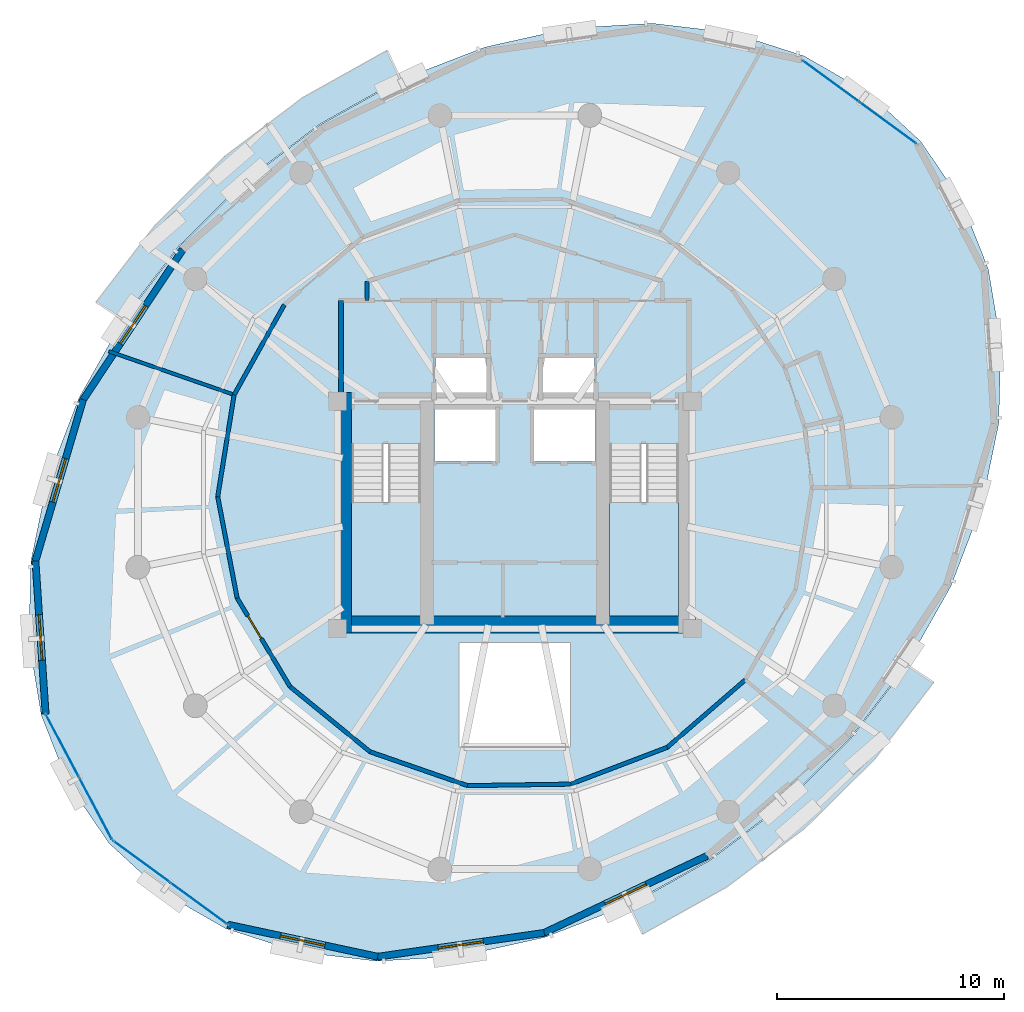
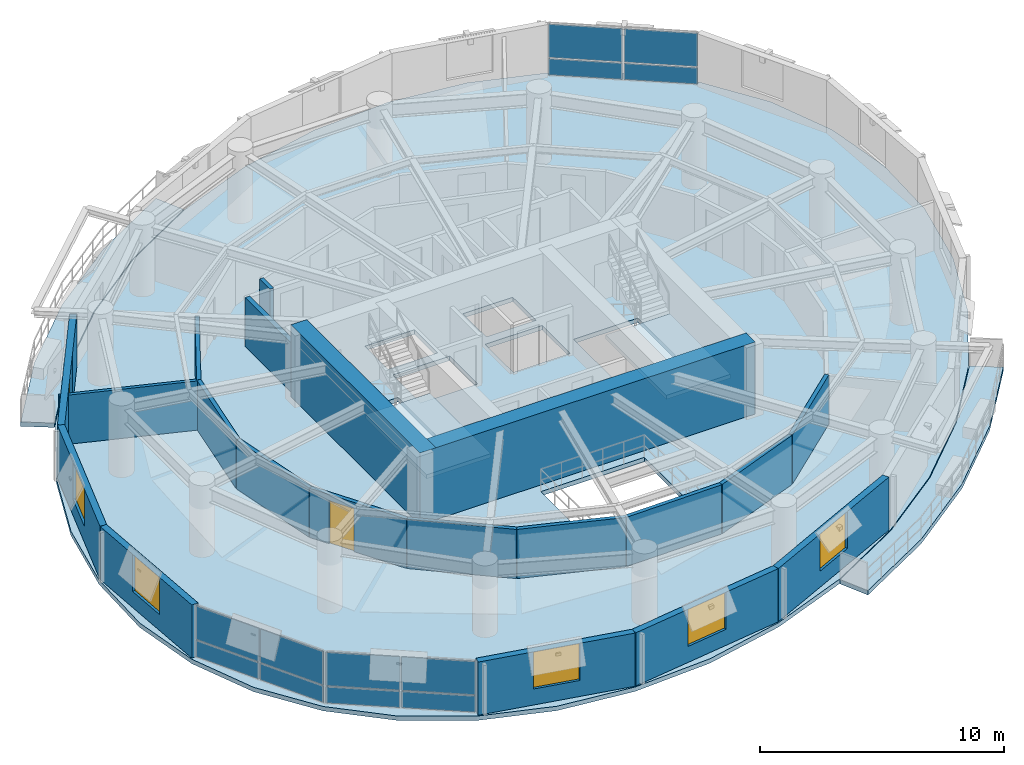
# One storey, part 7 of 12: 20 walls, 12 plates, 6 windows, 5 slabs, 1 door, 7 openings, 5 elements without a shape of their own.
"""IFC4 building model written with IfcOpenShell, lengths in metres."""

import ifcopenshell
import ifcopenshell.guid

model = None  # the IFC model being written
_history = None  # IfcOwnerHistory: only IFC2X3 demands one
_inside = {}  # id of a spatial element -> (the spatial element, [elements in it])
_under = {}  # id of a project, library or spatial element -> (it, [spatial elements below it])
_declared = {}  # id of a project -> (the project, [libraries it declares])
_typed = {}  # id of a type object -> (the type object, [elements of that type])
_made_of = {}  # id of a material, layer set ... -> (it, [elements and type objects made of it])


def new_model(schema):
    """Start an empty IFC model of exactly this schema.

    Asked for "IFC4X3", IfcOpenShell would pick the latest addendum, in which some entities
    have other attributes; the version numbers below select the first issue.
    IFC2X3 requires an IfcOwnerHistory on every rooted entity: one is made here for all.
    """
    global model, _history
    if schema == "IFC4X3":
        model = ifcopenshell.file(schema_version=(4, 3, 0, 0))
    else:
        model = ifcopenshell.file(schema=schema)
    _inside.clear()
    _under.clear()
    _declared.clear()
    _typed.clear()
    _made_of.clear()
    _history = None
    if model.schema == "IFC2X3":
        org = make("IfcOrganization", Name="unknown")
        user = make(
            "IfcPersonAndOrganization",
            ThePerson=make("IfcPerson", FamilyName="unknown"),
            TheOrganization=org,
        )
        app = make(
            "IfcApplication",
            ApplicationDeveloper=org,
            Version="unknown",
            ApplicationFullName="unknown",
            ApplicationIdentifier="unknown",
        )
        _history = make(
            "IfcOwnerHistory",
            OwningUser=user,
            OwningApplication=app,
            ChangeAction="ADDED",
            CreationDate=0,
        )
    return model


def make(cls, **values):
    """One entity of the class cls with the attributes given. An attribute that is None is left unset."""
    return model.create_entity(
        cls, **{name: value for name, value in values.items() if value is not None}
    )


def rooted(cls, **values):
    """An entity with a GlobalId (a new one), such as an element, a storey or a relation."""
    return make(cls, GlobalId=ifcopenshell.guid.new(), OwnerHistory=_history, **values)


def si_unit(unit_type, name, prefix=None):
    """IfcSIUnit, for example si_unit("LENGTHUNIT", "METRE", prefix="MILLI")."""
    return make("IfcSIUnit", UnitType=unit_type, Prefix=prefix, Name=name)


def assignment(units):
    """IfcUnitAssignment: the units of a project."""
    return None if units is None else make("IfcUnitAssignment", Units=units)


def point(xyz):
    """IfcCartesianPoint."""
    return None if xyz is None else make("IfcCartesianPoint", Coordinates=xyz)


def direction(xyz):
    """IfcDirection."""
    return None if xyz is None else make("IfcDirection", DirectionRatios=xyz)


def frame(location, z_axis=None, x_axis=None):
    """IfcAxis2Placement3D, a coordinate frame: its origin and axes. An axis left out is left unset."""
    return make(
        "IfcAxis2Placement3D",
        Location=point(location),
        Axis=direction(z_axis),
        RefDirection=direction(x_axis),
    )


def frame_2d(location, x_axis=None):
    """IfcAxis2Placement2D, a coordinate frame in the plane: its origin and x axis."""
    return make(
        "IfcAxis2Placement2D", Location=point(location), RefDirection=direction(x_axis)
    )


def origin():
    """The frame at (0, 0, 0) with its axes left unset."""
    return frame((0.0, 0.0, 0.0))


def origin_2d():
    """The frame at (0, 0) in the plane with its x axis left unset."""
    return frame_2d((0.0, 0.0))


def place(relative_to, where):
    """IfcLocalPlacement: puts the frame where relative to a parent placement (None: the world)."""
    return make(
        "IfcLocalPlacement", PlacementRelTo=relative_to, RelativePlacement=where
    )


def context(
    kind, dimensions, precision=None, world=None, true_north=None, identifier=None
):
    """IfcGeometricRepresentationContext, for example the 3D "Model" context."""
    return make(
        "IfcGeometricRepresentationContext",
        ContextIdentifier=identifier,
        ContextType=kind,
        CoordinateSpaceDimension=dimensions,
        Precision=precision,
        WorldCoordinateSystem=world,
        TrueNorth=true_north,
    )


def subcontext(parent, identifier, kind, view, scale=None):
    """IfcGeometricRepresentationSubContext, for example "Body" below "Model"."""
    return make(
        "IfcGeometricRepresentationSubContext",
        ContextIdentifier=identifier,
        ContextType=kind,
        ParentContext=parent,
        TargetScale=scale,
        TargetView=view,
    )


def project(units=None, contexts=None):
    """IfcProject with its units and contexts."""
    return rooted(
        "IfcProject",
        Name="project",
        RepresentationContexts=contexts,
        UnitsInContext=assignment(units),
    )


def spatial(cls, under=None, at=None, **own):
    """A site, building, storey or space (cls), placed at a placement, below another one or the project."""
    s = rooted(cls, ObjectPlacement=at, **own)
    if under is not None:
        _under.setdefault(under.id(), (under, []))[1].append(s)
    return s


def polyline(points):
    """IfcPolyline through the points."""
    return make("IfcPolyline", Points=[point(p) for p in points])


def profile(cls, at=None, kind="AREA", **sizes):
    """A parametric profile (cls). Its sizes go by their IFC names, for example OverallWidth=200.0."""
    return make(cls, ProfileType=kind, Position=at, **sizes)


def rectangle(**sizes):
    """IfcRectangleProfileDef."""
    return profile("IfcRectangleProfileDef", **sizes)


def outline(outer, holes=None, kind="AREA"):
    """IfcArbitraryClosedProfileDef: a profile drawn as a closed curve; with holes, ...WithVoids."""
    if holes is None:
        return make("IfcArbitraryClosedProfileDef", ProfileType=kind, OuterCurve=outer)
    return make(
        "IfcArbitraryProfileDefWithVoids",
        ProfileType=kind,
        OuterCurve=outer,
        InnerCurves=holes,
    )


def extrude(swept, where, along, depth):
    """IfcExtrudedAreaSolid: the profile swept, set in the frame where, extruded along a direction by depth."""
    return make(
        "IfcExtrudedAreaSolid",
        SweptArea=swept,
        Position=where,
        ExtrudedDirection=direction(along),
        Depth=depth,
    )


def shape(context_of_items, identifier, shape_type, items):
    """IfcShapeRepresentation: the items that make up one representation, for example the "Body"."""
    return make(
        "IfcShapeRepresentation",
        ContextOfItems=context_of_items,
        RepresentationIdentifier=identifier,
        RepresentationType=shape_type,
        Items=items,
    )


def material(Name=None, Category=None):
    """IfcMaterial."""
    return make("IfcMaterial", Name=Name, Category=Category)


def layer(
    of_material, thickness, ventilated=None, Name=None, Category=None, Priority=None
):
    """IfcMaterialLayer: one layer of a wall or slab, of a material (None: an air gap)."""
    return make(
        "IfcMaterialLayer",
        Material=of_material,
        LayerThickness=thickness,
        IsVentilated=ventilated,
        Name=Name,
        Category=Category,
        Priority=Priority,
    )


def layer_set(layers, Name=None):
    """IfcMaterialLayerSet."""
    return make("IfcMaterialLayerSet", MaterialLayers=layers, LayerSetName=Name)


def made_of(thing, what):
    """Note that an element or type object is made of a material, layer set ...; save() writes the relation."""
    if what is not None:
        _made_of.setdefault(what.id(), (what, []))[1].append(thing)
    return thing


def type_object(cls, material=None, **own):
    """A type object (cls), such as IfcWallType, which elements share."""
    return made_of(rooted(cls, **own), material)


def element(
    cls,
    number,
    at=None,
    inside=None,
    cuts=None,
    type_object=None,
    material=None,
    context=None,
    identifier="Body",
    shape_type=None,
    held_by="IfcProductDefinitionShape",
    body=None,
    shapes=None,
    **own,
):
    """One element of the class cls, such as IfcWall. Its Tag is "e" and its number.

    at: its placement. inside: the storey or other place that contains it. cuts: it is an
    opening in that element (IfcRelVoidsElement). A single representation is given by context,
    identifier, shape_type and body (its items); several are given by shapes. held_by: the class
    of the entity that holds the representations. save() writes the other relations.
    """
    e = rooted(cls, Tag="e%d" % number, ObjectPlacement=at, **own)
    if body is not None:
        shapes = [shape(context, identifier, shape_type, body)]
    if shapes is not None:
        e.Representation = make(held_by, Representations=shapes)
    if inside is not None:
        _inside.setdefault(inside.id(), (inside, []))[1].append(e)
    if cuts is not None:
        rooted(
            "IfcRelVoidsElement", RelatingBuildingElement=cuts, RelatedOpeningElement=e
        )
    if type_object is not None:
        _typed.setdefault(type_object.id(), (type_object, []))[1].append(e)
    return made_of(e, material)


def fill(opening, filler):
    """IfcRelFillsElement: the door or window that sits in an opening."""
    return rooted(
        "IfcRelFillsElement",
        RelatingOpeningElement=opening,
        RelatedBuildingElement=filler,
    )


def aggregate(whole, parts):
    """IfcRelAggregates: a whole, such as a stair, and the parts it consists of."""
    return rooted("IfcRelAggregates", RelatingObject=whole, RelatedObjects=parts)


def save(model, path):
    """Write the relations noted so far, then the file.

    IfcRelAggregates (storeys below a building ...), IfcRelContainedInSpatialStructure (elements
    in a storey), IfcRelDefinesByType, IfcRelAssociatesMaterial and IfcRelDeclares: one each for
    every whole, place, type object, material and project.
    """
    for whole, parts in _under.values():
        aggregate(whole, parts)
    for where, things in _inside.values():
        rooted(
            "IfcRelContainedInSpatialStructure",
            RelatedElements=things,
            RelatingStructure=where,
        )
    for kind, things in _typed.values():
        rooted("IfcRelDefinesByType", RelatedObjects=things, RelatingType=kind)
    for what, things in _made_of.values():
        rooted("IfcRelAssociatesMaterial", RelatedObjects=things, RelatingMaterial=what)
    for by, libraries in _declared.values():
        rooted("IfcRelDeclares", RelatingContext=by, RelatedDefinitions=libraries)
    model.write(path)


model = new_model("IFC4")

# Units and contexts
model_context = context("Model", 3, precision=1e-05, world=origin(), true_north=direction((0.0, 1.0)))
body_context = subcontext(model_context, "Body", "Model", "MODEL_VIEW")
ifc_project = project(units=[si_unit("LENGTHUNIT", "METRE"), si_unit("AREAUNIT", "SQUARE_METRE"), si_unit("VOLUMEUNIT", "CUBIC_METRE"), si_unit("PLANEANGLEUNIT", "RADIAN"), si_unit("MASSUNIT", "GRAM", prefix="KILO"), si_unit("THERMODYNAMICTEMPERATUREUNIT", "KELVIN"), si_unit("POWERUNIT", "WATT")], contexts=[model_context])

# Site, building, storey
site_placement = place(None, origin())
site = spatial("IfcSite", under=ifc_project, at=site_placement, CompositionType="ELEMENT")
building_placement = place(site_placement, origin())
building = spatial("IfcBuilding", under=site, at=building_placement, Name="Ocrelia Relay Tower", CompositionType="ELEMENT")
storey_placement = place(building_placement, frame((0.0, 0.0, 202.39990234375)))
storey = spatial("IfcBuildingStorey", under=building, at=storey_placement, Name="L49", CompositionType="ELEMENT", Elevation=202.39990234375)

# Curtain wall, plates
ifc_material_1 = material(Name="Aluminium and solar-control low-E glass", Category="aluminium")
ifc_layer_1 = layer(ifc_material_1, 0.179931640625, Name="Aluminium and solar-control low-E glass")
ifc_layer_set_1 = layer_set([ifc_layer_1], Name="Aluminium and solar-control low-E glass")
curtain_wall_type = type_object("IfcCurtainWallType", Name="CW-SYS-Z3-CLOU", PredefinedType="NOTDEFINED", material=ifc_layer_set_1)
curtain_wall_1_placement = place(storey_placement, origin())
curtain_wall_1 = element("IfcCurtainWall", 1, at=curtain_wall_1_placement, inside=storey, type_object=curtain_wall_type, Name="L49 Elliptical Tower Curtain Wall Bay 01", PredefinedType="NOTDEFINED")
ifc_material_2 = material(Name="Clear double-glazed low-E glass", Category="glass")
ifc_layer_2 = layer(ifc_material_2, 0.031982421875, Name="Clear double-glazed low-E glass")
ifc_layer_set_2 = layer_set([ifc_layer_2], Name="Clear double-glazed low-E glass")
plate_type = type_object("IfcPlateType", Name="CW-SYS-Z3-CLOU-PNL", PredefinedType="CURTAIN_PANEL", material=ifc_layer_set_2)
plate_1_placement = place(storey_placement, frame((50.419189453125, 42.2421875, 0.06005859375), z_axis=(0.0, 0.0, 1.0), x_axis=(-0.807270953997, 0.590180994977, 0.0)))
plate_1 = element("IfcPlate", 2, at=plate_1_placement, type_object=plate_type, Name="CW-Z3 panel 1.1", PredefinedType="CURTAIN_PANEL", context=body_context, shape_type="SweptSolid", body=[
    extrude(rectangle(XDim=3.0439453125, YDim=0.031982421875, at=origin_2d()), origin(), (0.0, 0.0, 1.0), 0.81005859375),
])
plate_2_placement = place(storey_placement, frame((50.419189453125, 42.2421875, 0.93017578125), z_axis=(0.0, 0.0, 1.0), x_axis=(-0.807270953997, 0.590180994977, 0.0)))
plate_2 = element("IfcPlate", 3, at=plate_2_placement, type_object=plate_type, Name="CW-Z3 panel 1.2", PredefinedType="CURTAIN_PANEL", context=body_context, shape_type="SweptSolid", body=[
    extrude(rectangle(XDim=3.0439453125, YDim=0.031982421875, at=origin_2d()), origin(), (0.0, 0.0, 1.0), 1.669921875),
])
plate_3_placement = place(storey_placement, frame((47.90966796875, 44.076904296875, 0.06005859375), z_axis=(0.0, 0.0, 1.0), x_axis=(-0.807270953997, 0.590180994977, 0.0)))
plate_3 = element("IfcPlate", 4, at=plate_3_placement, type_object=plate_type, Name="CW-Z3 panel 2.1", PredefinedType="CURTAIN_PANEL", context=body_context, shape_type="SweptSolid", body=[
    extrude(rectangle(XDim=3.0439453125, YDim=0.031982421875, at=origin_2d()), origin(), (0.0, 0.0, 1.0), 0.81005859375),
])
plate_4_placement = place(storey_placement, frame((47.90966796875, 44.076904296875, 0.93017578125), z_axis=(0.0, 0.0, 1.0), x_axis=(-0.807270953997, 0.590180994977, 0.0)))
plate_4 = element("IfcPlate", 5, at=plate_4_placement, type_object=plate_type, Name="CW-Z3 panel 2.2", PredefinedType="CURTAIN_PANEL", context=body_context, shape_type="SweptSolid", body=[
    extrude(rectangle(XDim=3.0439453125, YDim=0.031982421875, at=origin_2d()), origin(), (0.0, 0.0, 1.0), 1.669921875),
])
aggregate(curtain_wall_1, [plate_1, plate_2, plate_3, plate_4])

curtain_wall_2_placement = place(storey_placement, origin())
curtain_wall_2 = element("IfcCurtainWall", 6, at=curtain_wall_2_placement, inside=storey, type_object=curtain_wall_type, Name="L49 Elliptical Tower Curtain Wall Bay 09", PredefinedType="NOTDEFINED")
plate_5_placement = place(storey_placement, frame((14.1044921875, 14.845703125, 0.06005859375), z_axis=(0.0, 0.0, 1.0), x_axis=(0.467470825278, -0.884008499684, 0.0)))
plate_5 = element("IfcPlate", 7, at=plate_5_placement, type_object=plate_type, Name="CW-Z3 panel 1.1", PredefinedType="CURTAIN_PANEL", context=body_context, shape_type="SweptSolid", body=[
    extrude(rectangle(XDim=3.0439453125, YDim=0.031982421875, at=origin_2d()), origin(), (0.0, 0.0, 1.0), 0.81005859375),
])
plate_6_placement = place(storey_placement, frame((14.1044921875, 14.845703125, 0.93017578125), z_axis=(0.0, 0.0, 1.0), x_axis=(0.467470825278, -0.884008499684, 0.0)))
plate_6 = element("IfcPlate", 8, at=plate_6_placement, type_object=plate_type, Name="CW-Z3 panel 1.2", PredefinedType="CURTAIN_PANEL", context=body_context, shape_type="SweptSolid", body=[
    extrude(rectangle(XDim=3.0439453125, YDim=0.031982421875, at=origin_2d()), origin(), (0.0, 0.0, 1.0), 1.669921875),
])
plate_7_placement = place(storey_placement, frame((15.557861328125, 12.097412109375, 0.06005859375), z_axis=(0.0, 0.0, 1.0), x_axis=(0.467470825278, -0.884008499684, 0.0)))
plate_7 = element("IfcPlate", 9, at=plate_7_placement, type_object=plate_type, Name="CW-Z3 panel 2.1", PredefinedType="CURTAIN_PANEL", context=body_context, shape_type="SweptSolid", body=[
    extrude(rectangle(XDim=3.0439453125, YDim=0.031982421875, at=origin_2d()), origin(), (0.0, 0.0, 1.0), 0.81005859375),
])
plate_8_placement = place(storey_placement, frame((15.557861328125, 12.097412109375, 0.93017578125), z_axis=(0.0, 0.0, 1.0), x_axis=(0.467470825278, -0.884008499684, 0.0)))
plate_8 = element("IfcPlate", 10, at=plate_8_placement, type_object=plate_type, Name="CW-Z3 panel 2.2", PredefinedType="CURTAIN_PANEL", context=body_context, shape_type="SweptSolid", body=[
    extrude(rectangle(XDim=3.0439453125, YDim=0.031982421875, at=origin_2d()), origin(), (0.0, 0.0, 1.0), 1.669921875),
])
aggregate(curtain_wall_2, [plate_5, plate_6, plate_7, plate_8])

curtain_wall_3_placement = place(storey_placement, origin())
curtain_wall_3 = element("IfcCurtainWall", 11, at=curtain_wall_3_placement, inside=storey, type_object=curtain_wall_type, Name="L49 Elliptical Tower Curtain Wall Bay 10", PredefinedType="NOTDEFINED")
plate_9_placement = place(storey_placement, frame((17.580810546875, 9.7578125, 0.06005859375), z_axis=(0.0, 0.0, 1.0), x_axis=(0.807270953997, -0.590180994977, 0.0)))
plate_9 = element("IfcPlate", 12, at=plate_9_placement, type_object=plate_type, Name="CW-Z3 panel 1.1", PredefinedType="CURTAIN_PANEL", context=body_context, shape_type="SweptSolid", body=[
    extrude(rectangle(XDim=3.0439453125, YDim=0.031982421875, at=origin_2d()), origin(), (0.0, 0.0, 1.0), 0.81005859375),
])
plate_10_placement = place(storey_placement, frame((17.580810546875, 9.7578125, 0.93017578125), z_axis=(0.0, 0.0, 1.0), x_axis=(0.807270953997, -0.590180994977, 0.0)))
plate_10 = element("IfcPlate", 13, at=plate_10_placement, type_object=plate_type, Name="CW-Z3 panel 1.2", PredefinedType="CURTAIN_PANEL", context=body_context, shape_type="SweptSolid", body=[
    extrude(rectangle(XDim=3.0439453125, YDim=0.031982421875, at=origin_2d()), origin(), (0.0, 0.0, 1.0), 1.669921875),
])
plate_11_placement = place(storey_placement, frame((20.09033203125, 7.923095703125, 0.06005859375), z_axis=(0.0, 0.0, 1.0), x_axis=(0.807270953997, -0.590180994977, 0.0)))
plate_11 = element("IfcPlate", 14, at=plate_11_placement, type_object=plate_type, Name="CW-Z3 panel 2.1", PredefinedType="CURTAIN_PANEL", context=body_context, shape_type="SweptSolid", body=[
    extrude(rectangle(XDim=3.0439453125, YDim=0.031982421875, at=origin_2d()), origin(), (0.0, 0.0, 1.0), 0.81005859375),
])
plate_12_placement = place(storey_placement, frame((20.09033203125, 7.923095703125, 0.93017578125), z_axis=(0.0, 0.0, 1.0), x_axis=(0.807270953997, -0.590180994977, 0.0)))
plate_12 = element("IfcPlate", 15, at=plate_12_placement, type_object=plate_type, Name="CW-Z3 panel 2.2", PredefinedType="CURTAIN_PANEL", context=body_context, shape_type="SweptSolid", body=[
    extrude(rectangle(XDim=3.0439453125, YDim=0.031982421875, at=origin_2d()), origin(), (0.0, 0.0, 1.0), 1.669921875),
])
aggregate(curtain_wall_3, [plate_9, plate_10, plate_11, plate_12])

# Slabs
ifc_material_3 = material(Name="Precast concrete C40/50", Category="concrete")
ifc_layer_3 = layer(ifc_material_3, 0.219970703125, Name="Precast concrete C40/50")
ifc_layer_set_3 = layer_set([ifc_layer_3], Name="Precast concrete C40/50")
slab_type_1 = type_object("IfcSlabType", Name="SL-BALC-220", PredefinedType="FLOOR", material=ifc_layer_set_3)
slab_1_placement = place(storey_placement, frame((0.0, 0.0, -0.219970703125)))
element("IfcSlab", 16, at=slab_1_placement, inside=storey, type_object=slab_type_1, Name="L49 Planted Loggia Balcony B1", PredefinedType="FLOOR", context=body_context, shape_type="SweptSolid", body=[
    extrude(outline(polyline([(28.968017578125, 44.17236328125), (27.1962890625, 43.1806640625), (25.424560546875, 42.18896484375), (22.141357421875, 39.714111328125), (19.218505859375, 36.82275390625), (17.9814453125, 35.212646484375), (16.744384765625, 33.602783203125), (15.58251953125, 34.371826171875), (16.878173828125, 36.05810546875), (18.173828125, 37.744384765625), (21.230224609375, 40.767822265625), (24.6630859375, 43.355712890625), (26.518798828125, 44.39453125), (28.37451171875, 45.43310546875), (28.968017578125, 44.17236328125)])), origin(), (0.0, 0.0, 1.0), 0.219970703125),
])
slab_2_placement = place(storey_placement, frame((0.0, 0.0, -0.219970703125)))
element("IfcSlab", 17, at=slab_2_placement, inside=storey, type_object=slab_type_1, Name="L49 Planted Loggia Balcony B2", PredefinedType="FLOOR", context=body_context, shape_type="SweptSolid", body=[
    extrude(outline(polyline([(39.031982421875, 7.82763671875), (40.8037109375, 8.8193359375), (42.575439453125, 9.81103515625), (45.858642578125, 12.285888671875), (48.781494140625, 15.17724609375), (50.0185546875, 16.787353515625), (51.255615234375, 18.397216796875), (52.41748046875, 17.628173828125), (51.121826171875, 15.94189453125), (49.826171875, 14.255615234375), (46.769775390625, 11.232177734375), (43.3369140625, 8.644287109375), (41.481201171875, 7.605712890625), (39.62548828125, 6.56689453125), (39.031982421875, 7.82763671875)])), origin(), (0.0, 0.0, 1.0), 0.219970703125),
])
ifc_material_4 = material(Name="Concrete C50/60", Category="concrete")
ifc_layer_4 = layer(ifc_material_4, 0.219970703125, Name="Concrete C50/60")
ifc_layer_set_4 = layer_set([ifc_layer_4], Name="Concrete C50/60")
slab_type_2 = type_object("IfcSlabType", Name="SL-FLR-220", PredefinedType="FLOOR", material=ifc_layer_set_4)
slab_3_placement = place(storey_placement, frame((0.0, 0.0, -0.219970703125)))
element("IfcSlab", 18, at=slab_3_placement, inside=storey, type_object=slab_type_2, Name="L49 Elliptical Tower Floor Slab", PredefinedType="FLOOR", context=body_context, shape_type="SweptSolid", body=[
    extrude(outline(polyline([(51.8515625, 41.436279296875), (49.524658203125, 43.579345703125), (46.725830078125, 45.18798828125), (43.54052734375, 46.2138671875), (40.065185546875, 46.62548828125), (36.40576171875, 46.410400390625), (32.673095703125, 45.5751953125), (28.980712890625, 44.14501953125), (25.44091796875, 42.163818359375), (22.1611328125, 39.69140625), (19.2412109375, 36.802734375), (16.76953125, 33.586181640625), (14.8212890625, 30.138916015625), (13.4560546875, 26.56591796875), (12.715087890625, 22.9755859375), (12.62060546875, 19.477294921875), (13.17578125, 16.17724609375), (14.36376953125, 13.17578125), (16.1484375, 10.563720703125), (18.475341796875, 8.420654296875), (21.274169921875, 6.81201171875), (24.45947265625, 5.7861328125), (27.934814453125, 5.37451171875), (31.59423828125, 5.589599609375), (35.326904296875, 6.4248046875), (39.019287109375, 7.85498046875), (42.55908203125, 9.836181640625), (45.8388671875, 12.30859375), (48.7587890625, 15.197265625), (51.23046875, 18.413818359375), (53.1787109375, 21.861083984375), (54.5439453125, 25.43408203125), (55.284912109375, 29.0244140625), (55.37939453125, 32.522705078125), (54.82421875, 35.82275390625), (53.63623046875, 38.82421875), (51.8515625, 41.436279296875)]), holes=[polyline([(26.81005859375, 28.14990234375), (26.81005859375, 20.550048828125), (29.85009765625, 20.550048828125), (29.85009765625, 28.14990234375), (26.81005859375, 28.14990234375)]), polyline([(38.159912109375, 28.14990234375), (38.159912109375, 20.550048828125), (41.199951171875, 20.550048828125), (41.199951171875, 28.14990234375), (38.159912109375, 28.14990234375)]), polyline([(30.4599609375, 27.35009765625), (33.159912109375, 27.35009765625), (33.159912109375, 29.64990234375), (30.4599609375, 29.64990234375), (30.4599609375, 27.35009765625)]), polyline([(34.840087890625, 27.35009765625), (37.5400390625, 27.35009765625), (37.5400390625, 29.64990234375), (34.840087890625, 29.64990234375), (34.840087890625, 27.35009765625)]), polyline([(30.5, 30.10009765625), (32.85009765625, 30.10009765625), (32.85009765625, 32.0), (30.5, 32.0), (30.5, 30.10009765625)]), polyline([(35.14990234375, 30.10009765625), (37.5, 30.10009765625), (37.5, 32.0), (35.14990234375, 32.0), (35.14990234375, 30.10009765625)]), polyline([(31.550048828125, 14.800048828125), (36.449951171875, 14.800048828125), (36.449951171875, 19.39990234375), (31.550048828125, 19.39990234375), (31.550048828125, 14.800048828125)])]), origin(), (0.0, 0.0, 1.0), 0.219970703125),
])

# Stair, slab
stair_type = type_object("IfcStairType", Name="ST-DL-1420-R180", PredefinedType="HALF_TURN_STAIR", material=ifc_material_4)
stair_1_placement = place(storey_placement, origin())
stair_1 = element("IfcStair", 19, at=stair_1_placement, inside=storey, type_object=stair_type, Name="L49 West Core Exit Stair ST1", PredefinedType="HALF_TURN_STAIR")
ifc_layer_5 = layer(ifc_material_4, 0.199951171875, Name="Concrete C50/60")
ifc_layer_set_5 = layer_set([ifc_layer_5], Name="Concrete C50/60")
slab_type_3 = type_object("IfcSlabType", Name="SL-LANDING-200", PredefinedType="LANDING", material=ifc_layer_set_5)
slab_4_placement = place(storey_placement, frame((0.0, 0.0, 1.60009765625)))
slab_4 = element("IfcSlab", 20, at=slab_4_placement, type_object=slab_type_3, Name="ST1 landing 1", PredefinedType="LANDING", context=body_context, shape_type="SweptSolid", body=[
    extrude(outline(polyline([(26.81005859375, 25.5400390625), (26.81005859375, 20.550048828125), (29.85009765625, 20.550048828125), (29.85009765625, 25.5400390625), (26.81005859375, 25.5400390625)])), origin(), (0.0, 0.0, 1.0), 0.199951171875),
])
aggregate(stair_1, [slab_4])

stair_2_placement = place(storey_placement, origin())
stair_2 = element("IfcStair", 21, at=stair_2_placement, inside=storey, type_object=stair_type, Name="L49 East Core Exit Stair ST2", PredefinedType="HALF_TURN_STAIR")
slab_5_placement = place(storey_placement, frame((0.0, 0.0, 1.60009765625)))
slab_5 = element("IfcSlab", 22, at=slab_5_placement, type_object=slab_type_3, Name="ST2 landing 1", PredefinedType="LANDING", context=body_context, shape_type="SweptSolid", body=[
    extrude(outline(polyline([(38.159912109375, 25.5400390625), (38.159912109375, 20.550048828125), (41.199951171875, 20.550048828125), (41.199951171875, 25.5400390625), (38.159912109375, 25.5400390625)])), origin(), (0.0, 0.0, 1.0), 0.199951171875),
])
aggregate(stair_2, [slab_5])

# Walls
ifc_material_5 = material(Name="Concrete C60/75", Category="concrete")
ifc_layer_6 = layer(ifc_material_5, 0.75, Name="Concrete C60/75")
ifc_layer_set_6 = layer_set([ifc_layer_6], Name="Concrete C60/75")
wall_type_1 = type_object("IfcWallType", Name="CW-CORE-750", PredefinedType="SHEAR", material=ifc_layer_set_6)
wall_1_placement = place(storey_placement, frame((26.072021484375, 20.18701171875, 0.0), z_axis=(0.0, 0.0, 1.0), x_axis=(1.0, 0.0, 0.0)))
element("IfcWall", 23, at=wall_1_placement, inside=storey, type_object=wall_type_1, Name="L49 Core Shear Wall S", PredefinedType="SHEAR", context=body_context, shape_type="SweptSolid", body=[
    extrude(rectangle(XDim=15.865966796875, YDim=0.75, at=frame_2d((7.93310546875, 0.0))), origin(), (0.0, 0.0, 1.0), 3.60009765625),
])
wall_2_placement = place(storey_placement, frame((26.447021484375, 19.81201171875, 0.0), z_axis=(0.0, 0.0, 1.0), x_axis=(0.0, 1.0, 0.0)))
element("IfcWall", 24, at=wall_2_placement, inside=storey, type_object=wall_type_1, Name="L49 Core Shear Wall W", PredefinedType="SHEAR", context=body_context, shape_type="SweptSolid", body=[
    extrude(rectangle(XDim=10.575927734375, YDim=0.75, at=frame_2d((5.2880859375, 0.0))), origin(), (0.0, 0.0, 1.0), 3.60009765625),
])
ifc_material_6 = material(Name="Gypsum Fireboard Partition EI60", Category="gypsum")
ifc_layer_7 = layer(ifc_material_6, 0.179931640625, Name="Gypsum Fireboard Partition EI60")
ifc_layer_set_7 = layer_set([ifc_layer_7], Name="Gypsum Fireboard Partition EI60")
wall_type_2 = type_object("IfcWallType", Name="W-CORR-EI60-180", PredefinedType="PARTITIONING", material=ifc_layer_set_7)
wall_3_placement = place(storey_placement, frame((27.5, 34.429931640625, 0.0), z_axis=(0.0, 0.0, 1.0), x_axis=(0.0, 1.0, 0.0)))
element("IfcWall", 25, at=wall_3_placement, inside=storey, type_object=wall_type_2, Name="L49 Smoke Lobby West Return", PredefinedType="PARTITIONING", context=body_context, shape_type="SweptSolid", body=[
    extrude(rectangle(XDim=0.85009765625, YDim=0.179931640625, at=frame_2d((0.425048828125, 0.0))), origin(), (0.0, 0.0, 1.0), 2.460205078125),
])
wall_4_placement = place(storey_placement, frame((23.8642578125, 34.251708984375, 0.0), z_axis=(0.0, 0.0, 1.0), x_axis=(-0.487099084589, -0.873346713392, 0.0)))
element("IfcWall", 26, at=wall_4_placement, inside=storey, type_object=wall_type_2, Name="L49 Hardware Archive Store Corridor Partition 2", PredefinedType="PARTITIONING", context=body_context, shape_type="SweptSolid", body=[
    extrude(rectangle(XDim=4.5390625, YDim=0.179931640625, at=frame_2d((2.26953125, 0.0))), origin(), (0.0, 0.0, 1.0), 2.460205078125),
])
wall_5_placement = place(storey_placement, frame((21.6533203125, 30.28759765625, 0.0), z_axis=(0.0, 0.0, 1.0), x_axis=(-0.159041352882, -0.987271922053, 0.0)))
element("IfcWall", 27, at=wall_5_placement, inside=storey, type_object=wall_type_2, Name="L49 Optical Switching Hall B Corridor Partition 1", PredefinedType="PARTITIONING", context=body_context, shape_type="SweptSolid", body=[
    extrude(rectangle(XDim=4.539306640625, YDim=0.179931640625, at=frame_2d((2.26953125, 0.0))), origin(), (0.0, 0.0, 1.0), 2.460205078125),
])
wall_6_placement = place(storey_placement, frame((20.931396484375, 25.80615234375, 0.0), z_axis=(0.0, 0.0, 1.0), x_axis=(0.188248890536, -0.982121354626, 0.0)))
element("IfcWall", 28, at=wall_6_placement, inside=storey, type_object=wall_type_2, Name="L49 Optical Switching Hall B Corridor Partition 2", PredefinedType="PARTITIONING", context=body_context, shape_type="SweptSolid", body=[
    extrude(rectangle(XDim=4.5390625, YDim=0.179931640625, at=frame_2d((2.26953125, 0.0))), origin(), (0.0, 0.0, 1.0), 2.460205078125),
])

# Wall, opening, door
wall_7_placement = place(storey_placement, frame((21.785888671875, 21.34814453125, 0.0), z_axis=(0.0, 0.0, 1.0), x_axis=(0.512786269275, -0.858516302724, 0.0)))
wall_7 = element("IfcWall", 29, at=wall_7_placement, inside=storey, type_object=wall_type_2, Name="L49 Optical Switching Hall B Corridor Partition 3", PredefinedType="PARTITIONING", context=body_context, shape_type="SweptSolid", body=[
    extrude(rectangle(XDim=4.539306640625, YDim=0.179931640625, at=frame_2d((2.26953125, 0.0))), origin(), (0.0, 0.0, 1.0), 2.460205078125),
])
opening_1_placement = place(wall_7_placement, frame((0.92236328125, 0.0, 0.0)))
opening_1 = element("IfcOpeningElement", 30, at=opening_1_placement, cuts=wall_7, Name="Opening D-RM115", PredefinedType="OPENING", context=body_context, shape_type="SweptSolid", body=[
    extrude(rectangle(XDim=1.14990234375, YDim=2.14990234375, at=frame_2d((0.574951171875, 1.074951171875))), frame((0.0, 0.10009765625, 0.0), z_axis=(0.0, -1.0, 0.0), x_axis=(1.0, 0.0, 0.0)), (0.0, 0.0, 1.0), 0.199951171875),
])
ifc_material_7 = material(Name="Wide acoustic oak veneer fire door", Category="wood")
door_type = type_object("IfcDoorType", Name="DR-ROOM-1150", OperationType="NOTDEFINED", PredefinedType="DOOR", material=ifc_material_7)
door_placement = place(opening_1_placement, origin())
door = element("IfcDoor", 31, at=door_placement, inside=storey, type_object=door_type, Name="L49 Optical Switching Hall B Entrance Door", OperationType="SINGLE_SWING_LEFT", OverallHeight=2.14990234375, OverallWidth=1.14990234375, PredefinedType="DOOR", context=body_context, shape_type="SweptSolid", body=[
    extrude(rectangle(XDim=1.14990234375, YDim=2.14990234375, at=frame_2d((0.574951171875, 1.074951171875))), frame((0.0, 0.02490234375, 0.0), z_axis=(0.0, -1.0, 0.0), x_axis=(1.0, 0.0, 0.0)), (0.0, 0.0, 1.0), 0.050048828125),
])
fill(opening_1, door)

# Walls
for number, where, z_axis, x_axis, name in (
    (32, (24.113525390625, 17.451171875, 0.0), (0.0, 0.0, 1.0), (0.775471975081, -0.631381988866, 0.0), "L49 Optical Switching Hall B Corridor Partition 4"),
    (33, (27.633544921875, 14.585205078125, 0.0), (0.0, 0.0, 1.0), (0.944667182901, -0.328030354618, 0.0), "L49 Optical Switching Hall B Corridor Partition 5"),
):
    element("IfcWall", number, at=place(storey_placement, frame(where, z_axis=z_axis, x_axis=x_axis)), inside=storey, type_object=wall_type_2, Name=name, PredefinedType="PARTITIONING", context=body_context, shape_type="SweptSolid", body=[
        extrude(rectangle(XDim=4.539306640625, YDim=0.179931640625, at=frame_2d((2.26953125, 0.0))), origin(), (0.0, 0.0, 1.0), 2.460205078125),
    ])
wall_8_placement = place(storey_placement, frame((31.921630859375, 13.09619140625, 0.0), z_axis=(0.0, 0.0, 1.0), x_axis=(0.999889806088, 0.014845055755, 0.0)))
element("IfcWall", 34, at=wall_8_placement, inside=storey, type_object=wall_type_2, Name="L49 Optical Switching Hall B Corridor Partition 6", PredefinedType="PARTITIONING", context=body_context, shape_type="SweptSolid", body=[
    extrude(rectangle(XDim=4.5390625, YDim=0.179931640625, at=frame_2d((2.26953125, 0.0))), origin(), (0.0, 0.0, 1.0), 2.460205078125),
])
for number, where, z_axis, x_axis, name in (
    (35, (36.460205078125, 13.16357421875, 0.0), (0.0, 0.0, 1.0), (0.934506478346, 0.355946122227, 0.0), "L49 Optical Switching Hall B Corridor Partition 7"),
    (36, (40.7021484375, 14.779296875, 0.0), (0.0, 0.0, 1.0), (0.756428618382, 0.654076253423, 0.0), "L49 Optical Switching Hall B Corridor Partition 8"),
):
    element("IfcWall", number, at=place(storey_placement, frame(where, z_axis=z_axis, x_axis=x_axis)), inside=storey, type_object=wall_type_2, Name=name, PredefinedType="PARTITIONING", context=body_context, shape_type="SweptSolid", body=[
        extrude(rectangle(XDim=4.539306640625, YDim=0.179931640625, at=frame_2d((2.26953125, 0.0))), origin(), (0.0, 0.0, 1.0), 2.460205078125),
    ])

# Wall, opening, window
ifc_material_8 = material(Name="Precast concrete C40/50 with oxide terracotta", Category="masonry")
ifc_layer_8 = layer(ifc_material_8, 0.300048828125, Name="Precast concrete C40/50 with oxide terracotta")
ifc_layer_set_8 = layer_set([ifc_layer_8], Name="Precast concrete C40/50 with oxide terracotta")
wall_type_3 = type_object("IfcWallType", Name="W-EXT-TERR-300", PredefinedType="SOLIDWALL", material=ifc_layer_set_8)
wall_9_placement = place(storey_placement, frame((19.396240234375, 36.676513671875, 0.0), z_axis=(0.0, 0.0, 1.0), x_axis=(-0.553263688025, -0.833006177356, 0.0)))
wall_9 = element("IfcWall", 37, at=wall_9_placement, inside=storey, type_object=wall_type_3, Name="L49 Oxide Terracotta Facade Wall 06", PredefinedType="SOLIDWALL", context=body_context, shape_type="SweptSolid", body=[
    extrude(rectangle(XDim=7.927001953125, YDim=0.300048828125, at=frame_2d((3.96337890625, 0.0))), origin(), (0.0, 0.0, 1.0), 2.66015625),
])
opening_2_placement = place(wall_9_placement, frame((2.964111328125, 0.0, 0.800048828125)))
opening_2 = element("IfcOpeningElement", 38, at=opening_2_placement, cuts=wall_9, Name="Opening W-03", PredefinedType="OPENING", context=body_context, shape_type="SweptSolid", body=[
    extrude(rectangle(XDim=2.0, YDim=1.85009765625, at=frame_2d((1.0, 0.925048828125))), frame((0.0, 0.16015625, 0.0), z_axis=(0.0, -1.0, 0.0), x_axis=(1.0, 0.0, 0.0)), (0.0, 0.0, 1.0), 0.320068359375),
])
window_type = type_object("IfcWindowType", Name="WIN-Z3-2000x2200", PartitioningType="DOUBLE_PANEL_VERTICAL", PredefinedType="WINDOW", material=ifc_material_2)
window_1_placement = place(opening_2_placement, origin())
window_1 = element("IfcWindow", 39, at=window_1_placement, inside=storey, type_object=window_type, Name="L49 Facade Module Window 06", OverallHeight=1.85009765625, OverallWidth=2.0, PartitioningType="SINGLE_PANEL", PredefinedType="WINDOW", context=body_context, shape_type="SweptSolid", body=[
    extrude(rectangle(XDim=2.0, YDim=1.85009765625, at=frame_2d((1.0, 0.925048828125))), frame((0.0, 0.030029296875, 0.0), z_axis=(0.0, -1.0, 0.0), x_axis=(1.0, 0.0, 0.0)), (0.0, 0.0, 1.0), 0.06005859375),
])
fill(opening_2, window_1)

wall_10_placement = place(storey_placement, frame((15.010498046875, 30.0732421875, 0.0), z_axis=(0.0, 0.0, 1.0), x_axis=(-0.283266806845, -0.959041144133, 0.0)))
wall_10 = element("IfcWall", 40, at=wall_10_placement, inside=storey, type_object=wall_type_3, Name="L49 Oxide Terracotta Facade Wall 07", PredefinedType="SOLIDWALL", context=body_context, shape_type="SweptSolid", body=[
    extrude(rectangle(XDim=7.3974609375, YDim=0.300048828125, at=frame_2d((3.69873046875, 0.0))), origin(), (0.0, 0.0, 1.0), 2.66015625),
])
opening_3_placement = place(wall_10_placement, frame((2.698974609375, 0.0, 0.800048828125)))
opening_3 = element("IfcOpeningElement", 41, at=opening_3_placement, cuts=wall_10, Name="Opening W-03", PredefinedType="OPENING", context=body_context, shape_type="SweptSolid", body=[
    extrude(rectangle(XDim=2.0, YDim=1.85009765625, at=frame_2d((1.0, 0.925048828125))), frame((0.0, 0.16015625, 0.0), z_axis=(0.0, -1.0, 0.0), x_axis=(1.0, 0.0, 0.0)), (0.0, 0.0, 1.0), 0.320068359375),
])
window_2_placement = place(opening_3_placement, origin())
window_2 = element("IfcWindow", 42, at=window_2_placement, inside=storey, type_object=window_type, Name="L49 Facade Module Window 07", OverallHeight=1.85009765625, OverallWidth=2.0, PartitioningType="SINGLE_PANEL", PredefinedType="WINDOW", context=body_context, shape_type="SweptSolid", body=[
    extrude(rectangle(XDim=2.0, YDim=1.85009765625, at=frame_2d((1.0, 0.925048828125))), frame((0.0, 0.030029296875, 0.0), z_axis=(0.0, -1.0, 0.0), x_axis=(1.0, 0.0, 0.0)), (0.0, 0.0, 1.0), 0.06005859375),
])
fill(opening_3, window_2)

wall_11_placement = place(storey_placement, frame((12.9150390625, 22.978759765625, 0.0), z_axis=(0.0, 0.0, 1.0), x_axis=(0.066382076565, -0.997794277349, 0.0)))
wall_11 = element("IfcWall", 43, at=wall_11_placement, inside=storey, type_object=wall_type_3, Name="L49 Oxide Terracotta Facade Wall 08", PredefinedType="SOLIDWALL", context=body_context, shape_type="SweptSolid", body=[
    extrude(rectangle(XDim=6.7451171875, YDim=0.300048828125, at=frame_2d((3.37255859375, 0.0))), origin(), (0.0, 0.0, 1.0), 2.66015625),
])
opening_4_placement = place(wall_11_placement, frame((2.373046875, 0.0, 0.800048828125)))
opening_4 = element("IfcOpeningElement", 44, at=opening_4_placement, cuts=wall_11, Name="Opening W-03", PredefinedType="OPENING", context=body_context, shape_type="SweptSolid", body=[
    extrude(rectangle(XDim=2.0, YDim=1.85009765625, at=frame_2d((1.0, 0.925048828125))), frame((0.0, 0.16015625, 0.0), z_axis=(0.0, -1.0, 0.0), x_axis=(1.0, 0.0, 0.0)), (0.0, 0.0, 1.0), 0.320068359375),
])
window_3_placement = place(opening_4_placement, origin())
window_3 = element("IfcWindow", 45, at=window_3_placement, inside=storey, type_object=window_type, Name="L49 Facade Module Window 08", OverallHeight=1.85009765625, OverallWidth=2.0, PartitioningType="SINGLE_PANEL", PredefinedType="WINDOW", context=body_context, shape_type="SweptSolid", body=[
    extrude(rectangle(XDim=2.0, YDim=1.85009765625, at=frame_2d((1.0, 0.925048828125))), frame((0.0, 0.030029296875, 0.0), z_axis=(0.0, -1.0, 0.0), x_axis=(1.0, 0.0, 0.0)), (0.0, 0.0, 1.0), 0.06005859375),
])
fill(opening_4, window_3)

wall_12_placement = place(storey_placement, frame((21.37158203125, 6.986572265625, 0.0), z_axis=(0.0, 0.0, 1.0), x_axis=(0.977761608879, -0.209719422569, 0.0)))
wall_12 = element("IfcWall", 46, at=wall_12_placement, inside=storey, type_object=wall_type_3, Name="L49 Oxide Terracotta Facade Wall 11", PredefinedType="SOLIDWALL", context=body_context, shape_type="SweptSolid", body=[
    extrude(rectangle(XDim=6.744873046875, YDim=0.300048828125, at=frame_2d((3.37255859375, 0.0))), origin(), (0.0, 0.0, 1.0), 2.66015625),
])
opening_5_placement = place(wall_12_placement, frame((2.373046875, 0.0, 0.800048828125)))
opening_5 = element("IfcOpeningElement", 47, at=opening_5_placement, cuts=wall_12, Name="Opening W-03", PredefinedType="OPENING", context=body_context, shape_type="SweptSolid", body=[
    extrude(rectangle(XDim=2.0, YDim=1.85009765625, at=frame_2d((1.0, 0.925048828125))), frame((0.0, 0.16015625, 0.0), z_axis=(0.0, -1.0, 0.0), x_axis=(1.0, 0.0, 0.0)), (0.0, 0.0, 1.0), 0.320068359375),
])
window_4_placement = place(opening_5_placement, origin())
window_4 = element("IfcWindow", 48, at=window_4_placement, inside=storey, type_object=window_type, Name="L49 Facade Module Window 11", OverallHeight=1.85009765625, OverallWidth=2.0, PartitioningType="SINGLE_PANEL", PredefinedType="WINDOW", context=body_context, shape_type="SweptSolid", body=[
    extrude(rectangle(XDim=2.0, YDim=1.85009765625, at=frame_2d((1.0, 0.925048828125))), frame((0.0, 0.030029296875, 0.0), z_axis=(0.0, -1.0, 0.0), x_axis=(1.0, 0.0, 0.0)), (0.0, 0.0, 1.0), 0.06005859375),
])
fill(opening_5, window_4)

wall_13_placement = place(storey_placement, frame((27.966552734375, 5.572021484375, 0.0), z_axis=(0.0, 0.0, 1.0), x_axis=(0.989888677081, 0.141846420421, 0.0)))
wall_13 = element("IfcWall", 49, at=wall_13_placement, inside=storey, type_object=wall_type_3, Name="L49 Oxide Terracotta Facade Wall 12", PredefinedType="SOLIDWALL", context=body_context, shape_type="SweptSolid", body=[
    extrude(rectangle(XDim=7.3974609375, YDim=0.300048828125, at=frame_2d((3.69873046875, 0.0))), origin(), (0.0, 0.0, 1.0), 2.66015625),
])
opening_6_placement = place(wall_13_placement, frame((2.698974609375, 0.0, 0.800048828125)))
opening_6 = element("IfcOpeningElement", 50, at=opening_6_placement, cuts=wall_13, Name="Opening W-03", PredefinedType="OPENING", context=body_context, shape_type="SweptSolid", body=[
    extrude(rectangle(XDim=2.0, YDim=1.85009765625, at=frame_2d((1.0, 0.925048828125))), frame((0.0, 0.16015625, 0.0), z_axis=(0.0, -1.0, 0.0), x_axis=(1.0, 0.0, 0.0)), (0.0, 0.0, 1.0), 0.320068359375),
])
window_5_placement = place(opening_6_placement, origin())
window_5 = element("IfcWindow", 51, at=window_5_placement, inside=storey, type_object=window_type, Name="L49 Facade Module Window 12", OverallHeight=1.85009765625, OverallWidth=2.0, PartitioningType="SINGLE_PANEL", PredefinedType="WINDOW", context=body_context, shape_type="SweptSolid", body=[
    extrude(rectangle(XDim=2.0, YDim=1.85009765625, at=frame_2d((1.0, 0.925048828125))), frame((0.0, 0.030029296875, 0.0), z_axis=(0.0, -1.0, 0.0), x_axis=(1.0, 0.0, 0.0)), (0.0, 0.0, 1.0), 0.06005859375),
])
fill(opening_6, window_5)

wall_14_placement = place(storey_placement, frame((35.289306640625, 6.621337890625, 0.0), z_axis=(0.0, 0.0, 1.0), x_axis=(0.90415381925, 0.427207058855, 0.0)))
wall_14 = element("IfcWall", 52, at=wall_14_placement, inside=storey, type_object=wall_type_3, Name="L49 Oxide Terracotta Facade Wall 13", PredefinedType="SOLIDWALL", context=body_context, shape_type="SweptSolid", body=[
    extrude(rectangle(XDim=7.927001953125, YDim=0.300048828125, at=frame_2d((3.96337890625, 0.0))), origin(), (0.0, 0.0, 1.0), 2.66015625),
])
opening_7_placement = place(wall_14_placement, frame((2.964111328125, 0.0, 0.800048828125)))
opening_7 = element("IfcOpeningElement", 53, at=opening_7_placement, cuts=wall_14, Name="Opening W-03", PredefinedType="OPENING", context=body_context, shape_type="SweptSolid", body=[
    extrude(rectangle(XDim=2.0, YDim=1.85009765625, at=frame_2d((1.0, 0.925048828125))), frame((0.0, 0.16015625, 0.0), z_axis=(0.0, -1.0, 0.0), x_axis=(1.0, 0.0, 0.0)), (0.0, 0.0, 1.0), 0.320068359375),
])
window_6_placement = place(opening_7_placement, origin())
window_6 = element("IfcWindow", 54, at=window_6_placement, inside=storey, type_object=window_type, Name="L49 Facade Module Window 13", OverallHeight=1.85009765625, OverallWidth=2.0, PartitioningType="SINGLE_PANEL", PredefinedType="WINDOW", context=body_context, shape_type="SweptSolid", body=[
    extrude(rectangle(XDim=2.0, YDim=1.85009765625, at=frame_2d((1.0, 0.925048828125))), frame((0.0, 0.030029296875, 0.0), z_axis=(0.0, -1.0, 0.0), x_axis=(1.0, 0.0, 0.0)), (0.0, 0.0, 1.0), 0.06005859375),
])
fill(opening_7, window_6)

# Walls
ifc_layer_9 = layer(ifc_material_4, 0.219970703125, Name="Concrete C50/60")
ifc_layer_set_9 = layer_set([ifc_layer_9], Name="Concrete C50/60")
wall_type_4 = type_object("IfcWallType", Name="W-FFL-EI120-220", PredefinedType="SOLIDWALL", material=ifc_layer_set_9)
wall_15_placement = place(storey_placement, frame((26.35009765625, 30.050048828125, 0.0), z_axis=(0.0, 0.0, 1.0), x_axis=(0.0, 1.0, 0.0)))
element("IfcWall", 55, at=wall_15_placement, inside=storey, type_object=wall_type_4, Name="L49 W Fire Service Lift Lobby West Wall", PredefinedType="SOLIDWALL", context=body_context, shape_type="SweptSolid", body=[
    extrude(rectangle(XDim=4.3798828125, YDim=0.219970703125, at=frame_2d((2.18994140625, 0.0))), origin(), (0.0, 0.0, 1.0), 2.460205078125),
])
ifc_material_9 = material(Name="Acoustic Fireboard Partition EI60", Category="gypsum")
ifc_layer_10 = layer(ifc_material_9, 0.14990234375, Name="Acoustic Fireboard Partition EI60")
ifc_layer_set_10 = layer_set([ifc_layer_10], Name="Acoustic Fireboard Partition EI60")
wall_type_5 = type_object("IfcWallType", Name="W-PART-150", PredefinedType="PARTITIONING", material=ifc_layer_set_10)
wall_16_placement = place(storey_placement, frame((21.6533203125, 30.28759765625, 0.0), z_axis=(0.0, 0.0, 1.0), x_axis=(-0.94466988428, 0.328022575039, 0.0)))
element("IfcWall", 56, at=wall_16_placement, inside=storey, type_object=wall_type_5, Name="L49 Hardware Archive Store Radial Partition", PredefinedType="PARTITIONING", context=body_context, shape_type="SweptSolid", body=[
    extrude(rectangle(XDim=5.83740234375, YDim=0.14990234375, at=frame_2d((2.918701171875, 0.0))), origin(), (0.0, 0.0, 1.0), 2.460205078125),
])

save(model, "model.ifc")
